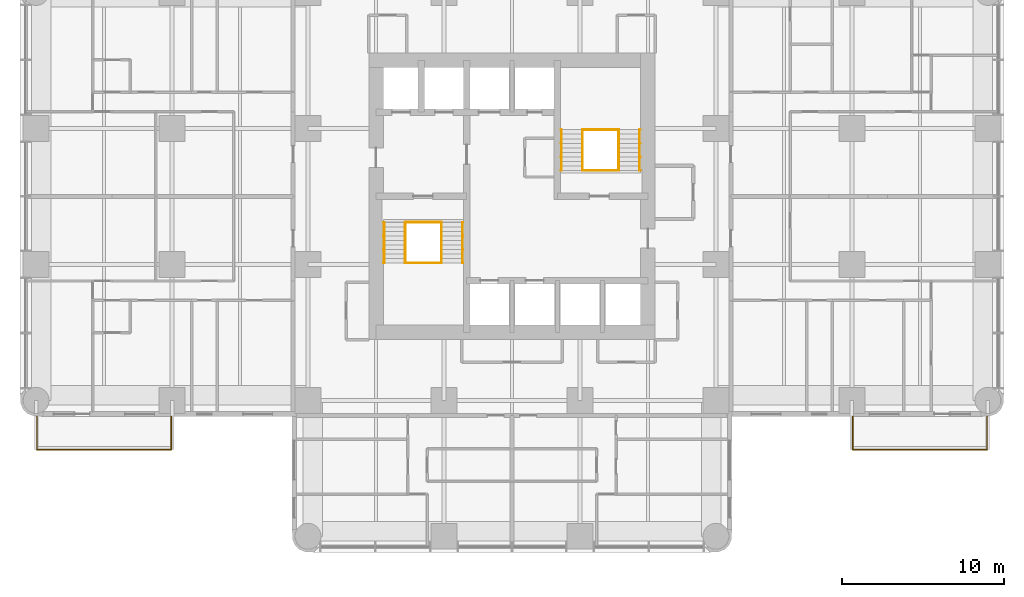
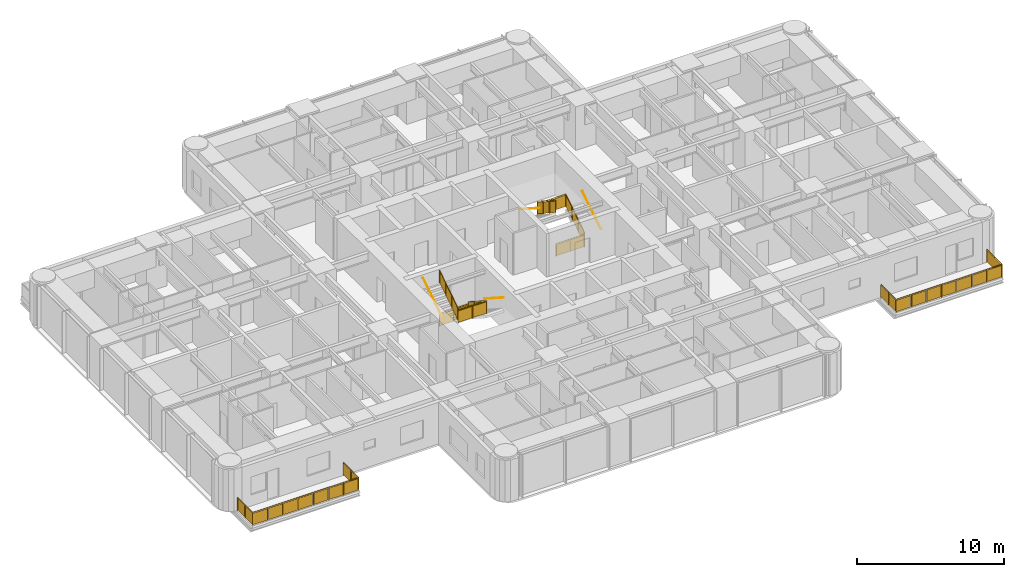
# One storey, part 14 of 15: 14 railings.
"""IFC4 building model written with IfcOpenShell, lengths in metres."""

from ifc_helpers import new_model, si_unit, direction, frame, origin, origin_2d, place, context, subcontext, project, spatial, polyline, circle, outline, extrude, material, constituent, constituent_set, type_object, element, save


model = new_model("IFC4")

# Units and contexts
model_context = context("Model", 3, precision=1e-05, world=origin(), true_north=direction((0.0, 1.0)))
body_context = subcontext(model_context, "Body", "Model", "MODEL_VIEW")
ifc_project = project(units=[si_unit("LENGTHUNIT", "METRE"), si_unit("AREAUNIT", "SQUARE_METRE"), si_unit("VOLUMEUNIT", "CUBIC_METRE"), si_unit("PLANEANGLEUNIT", "RADIAN"), si_unit("MASSUNIT", "GRAM", prefix="KILO")], contexts=[model_context])

# Site, building, storey
site_placement = place(None, origin())
site = spatial("IfcSite", under=ifc_project, at=site_placement, CompositionType="ELEMENT")
building_placement = place(site_placement, origin())
building = spatial("IfcBuilding", under=site, at=building_placement, Name="Torre Alcanfor", CompositionType="ELEMENT")
storey_placement = place(building_placement, frame((0.0, 0.0, 148.5)))
storey = spatial("IfcBuildingStorey", under=building, at=storey_placement, Name="L38", CompositionType="ELEMENT", Elevation=148.5)

# Railings
ifc_material_1 = material(Name="Laminated safety glass", Category="glass")
ifc_constituent_1 = constituent(ifc_material_1, Name="Infill")
ifc_material_2 = material(Name="Stainless steel ASTM A554 Grade MT 316L tube", Category="steel")
ifc_constituent_2 = constituent(ifc_material_2, Name="Posts and rail")
ifc_constituent_set = constituent_set(constituents=[ifc_constituent_1, ifc_constituent_2], Name="Balcony guard glass 1100")
railing_type_1 = type_object("IfcRailingType", Name="Balcony guard glass 1100", PredefinedType="BALUSTRADE", material=ifc_constituent_set)
railing_1_placement = place(storey_placement, frame((50.449951171875, 15.800048828125, 0.0)))
element("IfcRailing", 1, at=railing_1_placement, inside=storey, type_object=railing_type_1, Name="Balcony guard L38-E2", PredefinedType="BALUSTRADE", context=body_context, shape_type="SweptSolid", body=[
    extrude(circle(Radius=0.02392578125, at=origin_2d()), frame((0.0, 0.0, 1.076171875), z_axis=(0.0, -1.0, 0.0), x_axis=(1.0, 0.0, 0.0)), (0.0, 0.0, 1.0), 2.050048828125),
    extrude(circle(Radius=0.02392578125, at=origin_2d()), frame((0.0, -2.050048828125, 1.076171875), z_axis=(1.0, 0.0, 0.0), x_axis=(0.0, 1.0, 0.0)), (0.0, 0.0, 1.0), 8.300048828125),
    extrude(circle(Radius=0.02392578125, at=origin_2d()), frame((8.300048828125, -2.050048828125, 1.076171875), z_axis=(0.0, 1.0, 0.0), x_axis=(-1.0, 0.0, 0.0)), (0.0, 0.0, 1.0), 2.050048828125),
    extrude(circle(Radius=0.02099609375, at=origin_2d()), origin(), (0.0, 0.0, 1.0), 1.052001953125),
    extrude(circle(Radius=0.02099609375, at=origin_2d()), frame((0.0, -1.02490234375, 0.0)), (0.0, 0.0, 1.0), 1.052001953125),
    extrude(circle(Radius=0.02099609375, at=origin_2d()), frame((0.0, -2.050048828125, 0.0)), (0.0, 0.0, 1.0), 1.052001953125),
    extrude(circle(Radius=0.02099609375, at=origin_2d()), frame((1.185791015625, -2.050048828125, 0.0)), (0.0, 0.0, 1.0), 1.052001953125),
    extrude(circle(Radius=0.02099609375, at=origin_2d()), frame((2.371337890625, -2.050048828125, 0.0)), (0.0, 0.0, 1.0), 1.052001953125),
    extrude(circle(Radius=0.02099609375, at=origin_2d()), frame((3.55712890625, -2.050048828125, 0.0)), (0.0, 0.0, 1.0), 1.052001953125),
    extrude(circle(Radius=0.02099609375, at=origin_2d()), frame((4.742919921875, -2.050048828125, 0.0)), (0.0, 0.0, 1.0), 1.052001953125),
    extrude(circle(Radius=0.02099609375, at=origin_2d()), frame((5.9287109375, -2.050048828125, 0.0)), (0.0, 0.0, 1.0), 1.052001953125),
    extrude(circle(Radius=0.02099609375, at=origin_2d()), frame((7.1142578125, -2.050048828125, 0.0)), (0.0, 0.0, 1.0), 1.052001953125),
    extrude(circle(Radius=0.02099609375, at=origin_2d()), frame((8.300048828125, -2.050048828125, 0.0)), (0.0, 0.0, 1.0), 1.052001953125),
    extrude(circle(Radius=0.02099609375, at=origin_2d()), frame((8.300048828125, -1.02490234375, 0.0)), (0.0, 0.0, 1.0), 1.052001953125),
    extrude(circle(Radius=0.02099609375, at=origin_2d()), frame((8.300048828125, 0.0, 0.0)), (0.0, 0.0, 1.0), 1.052001953125),
    extrude(outline(polyline([(0.041015625, 0.050048828125), (0.984130859375, 0.050048828125), (0.984130859375, 1.001953125), (0.041015625, 1.001953125), (0.041015625, 0.050048828125)])), frame((0.005859375, 0.0, 0.0), z_axis=(-1.0, 0.0, 0.0), x_axis=(0.0, -1.0, 0.0)), (0.0, 0.0, 1.0), 0.011962890625),
    extrude(outline(polyline([(1.06591796875, 0.050048828125), (2.009033203125, 0.050048828125), (2.009033203125, 1.001953125), (1.06591796875, 1.001953125), (1.06591796875, 0.050048828125)])), frame((0.005859375, 0.0, 0.0), z_axis=(-1.0, 0.0, 0.0), x_axis=(0.0, -1.0, 0.0)), (0.0, 0.0, 1.0), 0.011962890625),
    extrude(outline(polyline([(0.041015625, 0.050048828125), (1.144775390625, 0.050048828125), (1.144775390625, 1.001953125), (0.041015625, 1.001953125), (0.041015625, 0.050048828125)])), frame((0.0, -2.0439453125, 0.0), z_axis=(0.0, -1.0, 0.0), x_axis=(1.0, 0.0, 0.0)), (0.0, 0.0, 1.0), 0.011962890625),
    extrude(outline(polyline([(1.226806640625, 0.050048828125), (2.330322265625, 0.050048828125), (2.330322265625, 1.001953125), (1.226806640625, 1.001953125), (1.226806640625, 0.050048828125)])), frame((0.0, -2.0439453125, 0.0), z_axis=(0.0, -1.0, 0.0), x_axis=(1.0, 0.0, 0.0)), (0.0, 0.0, 1.0), 0.011962890625),
    extrude(outline(polyline([(2.412353515625, 0.050048828125), (3.51611328125, 0.050048828125), (3.51611328125, 1.001953125), (2.412353515625, 1.001953125), (2.412353515625, 0.050048828125)])), frame((0.0, -2.0439453125, 0.0), z_axis=(0.0, -1.0, 0.0), x_axis=(1.0, 0.0, 0.0)), (0.0, 0.0, 1.0), 0.011962890625),
    extrude(outline(polyline([(3.59814453125, 0.050048828125), (4.701904296875, 0.050048828125), (4.701904296875, 1.001953125), (3.59814453125, 1.001953125), (3.59814453125, 0.050048828125)])), frame((0.0, -2.0439453125, 0.0), z_axis=(0.0, -1.0, 0.0), x_axis=(1.0, 0.0, 0.0)), (0.0, 0.0, 1.0), 0.011962890625),
    extrude(outline(polyline([(4.783935546875, 0.050048828125), (5.8876953125, 0.050048828125), (5.8876953125, 1.001953125), (4.783935546875, 1.001953125), (4.783935546875, 0.050048828125)])), frame((0.0, -2.0439453125, 0.0), z_axis=(0.0, -1.0, 0.0), x_axis=(1.0, 0.0, 0.0)), (0.0, 0.0, 1.0), 0.011962890625),
    extrude(outline(polyline([(5.9697265625, 0.050048828125), (7.0732421875, 0.050048828125), (7.0732421875, 1.001953125), (5.9697265625, 1.001953125), (5.9697265625, 0.050048828125)])), frame((0.0, -2.0439453125, 0.0), z_axis=(0.0, -1.0, 0.0), x_axis=(1.0, 0.0, 0.0)), (0.0, 0.0, 1.0), 0.011962890625),
    extrude(outline(polyline([(7.1552734375, 0.050048828125), (8.259033203125, 0.050048828125), (8.259033203125, 1.001953125), (7.1552734375, 1.001953125), (7.1552734375, 0.050048828125)])), frame((0.0, -2.0439453125, 0.0), z_axis=(0.0, -1.0, 0.0), x_axis=(1.0, 0.0, 0.0)), (0.0, 0.0, 1.0), 0.011962890625),
    extrude(outline(polyline([(0.041015625, 0.050048828125), (0.984130859375, 0.050048828125), (0.984130859375, 1.001953125), (0.041015625, 1.001953125), (0.041015625, 0.050048828125)])), frame((8.2939453125, -2.050048828125, 0.0), z_axis=(1.0, 0.0, 0.0), x_axis=(0.0, 1.0, 0.0)), (0.0, 0.0, 1.0), 0.011962890625),
    extrude(outline(polyline([(1.06591796875, 0.050048828125), (2.009033203125, 0.050048828125), (2.009033203125, 1.001953125), (1.06591796875, 1.001953125), (1.06591796875, 0.050048828125)])), frame((8.2939453125, -2.050048828125, 0.0), z_axis=(1.0, 0.0, 0.0), x_axis=(0.0, 1.0, 0.0)), (0.0, 0.0, 1.0), 0.011962890625),
])
railing_2_placement = place(storey_placement, frame((8.35009765625, 15.800048828125, 0.0)))
element("IfcRailing", 2, at=railing_2_placement, inside=storey, type_object=railing_type_1, Name="Balcony guard L38-W1", PredefinedType="BALUSTRADE", context=body_context, shape_type="SweptSolid", body=[
    extrude(circle(Radius=0.02392578125, at=origin_2d()), frame((0.0, 0.0, 1.076171875), z_axis=(0.0, -1.0, 0.0), x_axis=(1.0, 0.0, 0.0)), (0.0, 0.0, 1.0), 2.050048828125),
    extrude(circle(Radius=0.02392578125, at=origin_2d()), frame((0.0, -2.050048828125, 1.076171875), z_axis=(-1.0, 0.0, 0.0), x_axis=(0.0, -1.0, 0.0)), (0.0, 0.0, 1.0), 8.300048828125),
    extrude(circle(Radius=0.02392578125, at=origin_2d()), frame((-8.300048828125, -2.050048828125, 1.076171875), z_axis=(0.0, 1.0, 0.0), x_axis=(-1.0, 0.0, 0.0)), (0.0, 0.0, 1.0), 2.050048828125),
    extrude(circle(Radius=0.02099609375, at=origin_2d()), origin(), (0.0, 0.0, 1.0), 1.052001953125),
    extrude(circle(Radius=0.02099609375, at=origin_2d()), frame((0.0, -1.02490234375, 0.0)), (0.0, 0.0, 1.0), 1.052001953125),
    extrude(circle(Radius=0.02099609375, at=origin_2d()), frame((0.0, -2.050048828125, 0.0)), (0.0, 0.0, 1.0), 1.052001953125),
    extrude(circle(Radius=0.02099609375, at=origin_2d()), frame((-1.185791015625, -2.050048828125, 0.0)), (0.0, 0.0, 1.0), 1.052001953125),
    extrude(circle(Radius=0.02099609375, at=origin_2d()), frame((-2.371337890625, -2.050048828125, 0.0)), (0.0, 0.0, 1.0), 1.052001953125),
    extrude(circle(Radius=0.02099609375, at=origin_2d()), frame((-3.55712890625, -2.050048828125, 0.0)), (0.0, 0.0, 1.0), 1.052001953125),
    extrude(circle(Radius=0.02099609375, at=origin_2d()), frame((-4.742919921875, -2.050048828125, 0.0)), (0.0, 0.0, 1.0), 1.052001953125),
    extrude(circle(Radius=0.02099609375, at=origin_2d()), frame((-5.9287109375, -2.050048828125, 0.0)), (0.0, 0.0, 1.0), 1.052001953125),
    extrude(circle(Radius=0.02099609375, at=origin_2d()), frame((-7.1142578125, -2.050048828125, 0.0)), (0.0, 0.0, 1.0), 1.052001953125),
    extrude(circle(Radius=0.02099609375, at=origin_2d()), frame((-8.300048828125, -2.050048828125, 0.0)), (0.0, 0.0, 1.0), 1.052001953125),
    extrude(circle(Radius=0.02099609375, at=origin_2d()), frame((-8.300048828125, -1.02490234375, 0.0)), (0.0, 0.0, 1.0), 1.052001953125),
    extrude(circle(Radius=0.02099609375, at=origin_2d()), frame((-8.300048828125, 0.0, 0.0)), (0.0, 0.0, 1.0), 1.052001953125),
    extrude(outline(polyline([(0.041015625, 0.050048828125), (0.984130859375, 0.050048828125), (0.984130859375, 1.001953125), (0.041015625, 1.001953125), (0.041015625, 0.050048828125)])), frame((0.005859375, 0.0, 0.0), z_axis=(-1.0, 0.0, 0.0), x_axis=(0.0, -1.0, 0.0)), (0.0, 0.0, 1.0), 0.011962890625),
    extrude(outline(polyline([(1.06591796875, 0.050048828125), (2.009033203125, 0.050048828125), (2.009033203125, 1.001953125), (1.06591796875, 1.001953125), (1.06591796875, 0.050048828125)])), frame((0.005859375, 0.0, 0.0), z_axis=(-1.0, 0.0, 0.0), x_axis=(0.0, -1.0, 0.0)), (0.0, 0.0, 1.0), 0.011962890625),
    extrude(outline(polyline([(0.041015625, 0.050048828125), (1.144775390625, 0.050048828125), (1.144775390625, 1.001953125), (0.041015625, 1.001953125), (0.041015625, 0.050048828125)])), frame((0.0, -2.05615234375, 0.0), z_axis=(0.0, 1.0, 0.0), x_axis=(-1.0, 0.0, 0.0)), (0.0, 0.0, 1.0), 0.011962890625),
    extrude(outline(polyline([(1.226806640625, 0.050048828125), (2.330322265625, 0.050048828125), (2.330322265625, 1.001953125), (1.226806640625, 1.001953125), (1.226806640625, 0.050048828125)])), frame((0.0, -2.05615234375, 0.0), z_axis=(0.0, 1.0, 0.0), x_axis=(-1.0, 0.0, 0.0)), (0.0, 0.0, 1.0), 0.011962890625),
    extrude(outline(polyline([(2.412353515625, 0.050048828125), (3.51611328125, 0.050048828125), (3.51611328125, 1.001953125), (2.412353515625, 1.001953125), (2.412353515625, 0.050048828125)])), frame((0.0, -2.05615234375, 0.0), z_axis=(0.0, 1.0, 0.0), x_axis=(-1.0, 0.0, 0.0)), (0.0, 0.0, 1.0), 0.011962890625),
    extrude(outline(polyline([(3.59814453125, 0.050048828125), (4.701904296875, 0.050048828125), (4.701904296875, 1.001953125), (3.59814453125, 1.001953125), (3.59814453125, 0.050048828125)])), frame((0.0, -2.05615234375, 0.0), z_axis=(0.0, 1.0, 0.0), x_axis=(-1.0, 0.0, 0.0)), (0.0, 0.0, 1.0), 0.011962890625),
    extrude(outline(polyline([(4.783935546875, 0.050048828125), (5.8876953125, 0.050048828125), (5.8876953125, 1.001953125), (4.783935546875, 1.001953125), (4.783935546875, 0.050048828125)])), frame((0.0, -2.05615234375, 0.0), z_axis=(0.0, 1.0, 0.0), x_axis=(-1.0, 0.0, 0.0)), (0.0, 0.0, 1.0), 0.011962890625),
    extrude(outline(polyline([(5.9697265625, 0.050048828125), (7.0732421875, 0.050048828125), (7.0732421875, 1.001953125), (5.9697265625, 1.001953125), (5.9697265625, 0.050048828125)])), frame((0.0, -2.05615234375, 0.0), z_axis=(0.0, 1.0, 0.0), x_axis=(-1.0, 0.0, 0.0)), (0.0, 0.0, 1.0), 0.011962890625),
    extrude(outline(polyline([(7.1552734375, 0.050048828125), (8.259033203125, 0.050048828125), (8.259033203125, 1.001953125), (7.1552734375, 1.001953125), (7.1552734375, 0.050048828125)])), frame((0.0, -2.05615234375, 0.0), z_axis=(0.0, 1.0, 0.0), x_axis=(-1.0, 0.0, 0.0)), (0.0, 0.0, 1.0), 0.011962890625),
    extrude(outline(polyline([(0.041015625, 0.050048828125), (0.984130859375, 0.050048828125), (0.984130859375, 1.001953125), (0.041015625, 1.001953125), (0.041015625, 0.050048828125)])), frame((-8.30615234375, -2.050048828125, 0.0), z_axis=(1.0, 0.0, 0.0), x_axis=(0.0, 1.0, 0.0)), (0.0, 0.0, 1.0), 0.011962890625),
    extrude(outline(polyline([(1.06591796875, 0.050048828125), (2.009033203125, 0.050048828125), (2.009033203125, 1.001953125), (1.06591796875, 1.001953125), (1.06591796875, 0.050048828125)])), frame((-8.30615234375, -2.050048828125, 0.0), z_axis=(1.0, 0.0, 0.0), x_axis=(0.0, 1.0, 0.0)), (0.0, 0.0, 1.0), 0.011962890625),
])
ifc_material_3 = material(Name="Steel ASTM A500 Grade C hollow sections", Category="steel")
railing_type_2 = type_object("IfcRailingType", Name="Stair guard and handrail 1100", PredefinedType="GUARDRAIL", material=ifc_material_3)
railing_3_placement = place(storey_placement, frame((25.050048828125, 27.800048828125, 0.179931640625)))
element("IfcRailing", 3, at=railing_3_placement, inside=storey, type_object=railing_type_2, Name="Stair guard S1 L38 flight 1", PredefinedType="GUARDRAIL", context=body_context, shape_type="SweptSolid", body=[
    extrude(circle(Radius=0.02392578125, at=origin_2d()), frame((0.0, 0.0, 1.076171875), z_axis=(0.0, -0.841162588446, 0.540782303519), x_axis=(1.0, 0.0, 0.0)), (0.0, 0.0, 1.0), 2.995849609375),
    extrude(circle(Radius=0.02099609375, at=origin_2d()), origin(), (0.0, 0.0, 1.0), 1.052001953125),
    extrude(circle(Radius=0.02099609375, at=origin_2d()), frame((0.0, -0.840087890625, 0.5400390625)), (0.0, 0.0, 1.0), 1.052001953125),
    extrude(circle(Radius=0.02099609375, at=origin_2d()), frame((0.0, -1.679931640625, 1.080078125)), (0.0, 0.0, 1.0), 1.052001953125),
    extrude(circle(Radius=0.02099609375, at=origin_2d()), frame((0.0, -2.52001953125, 1.6201171875)), (0.0, 0.0, 1.0), 1.052001953125),
    extrude(outline(polyline([(0.041015625, 0.076416015625), (0.799072265625, 0.563720703125), (0.799072265625, 1.515625), (0.041015625, 1.0283203125), (0.041015625, 0.076416015625)])), frame((0.005859375, 0.0, 0.0), z_axis=(-1.0, 0.0, 0.0), x_axis=(0.0, -1.0, 0.0)), (0.0, 0.0, 1.0), 0.011962890625),
    extrude(outline(polyline([(0.881103515625, 0.616455078125), (1.638916015625, 1.103759765625), (1.638916015625, 2.0556640625), (0.881103515625, 1.568359375), (0.881103515625, 0.616455078125)])), frame((0.005859375, 0.0, 0.0), z_axis=(-1.0, 0.0, 0.0), x_axis=(0.0, -1.0, 0.0)), (0.0, 0.0, 1.0), 0.011962890625),
    extrude(outline(polyline([(1.720947265625, 1.156494140625), (2.47900390625, 1.643798828125), (2.47900390625, 2.595703125), (1.720947265625, 2.1083984375), (1.720947265625, 1.156494140625)])), frame((0.005859375, 0.0, 0.0), z_axis=(-1.0, 0.0, 0.0), x_axis=(0.0, -1.0, 0.0)), (0.0, 0.0, 1.0), 0.011962890625),
])
railing_4_placement = place(storey_placement, frame((22.800048828125, 25.280029296875, 1.97998046875)))
element("IfcRailing", 4, at=railing_4_placement, inside=storey, type_object=railing_type_2, Name="Stair guard S1 L38 flight 2", PredefinedType="GUARDRAIL", context=body_context, shape_type="SweptSolid", body=[
    extrude(circle(Radius=0.02392578125, at=origin_2d()), frame((0.0, 0.0, 1.076171875), z_axis=(0.0, 0.841162588446, 0.540782303519), x_axis=(-1.0, 0.0, 0.0)), (0.0, 0.0, 1.0), 2.995849609375),
    extrude(circle(Radius=0.02099609375, at=origin_2d()), origin(), (0.0, 0.0, 1.0), 1.052001953125),
    extrude(circle(Radius=0.02099609375, at=origin_2d()), frame((0.0, 0.840087890625, 0.5400390625)), (0.0, 0.0, 1.0), 1.052001953125),
    extrude(circle(Radius=0.02099609375, at=origin_2d()), frame((0.0, 1.679931640625, 1.080078125)), (0.0, 0.0, 1.0), 1.052001953125),
    extrude(circle(Radius=0.02099609375, at=origin_2d()), frame((0.0, 2.52001953125, 1.6201171875)), (0.0, 0.0, 1.0), 1.052001953125),
    extrude(outline(polyline([(0.041015625, 0.076416015625), (0.799072265625, 0.563720703125), (0.799072265625, 1.515625), (0.041015625, 1.0283203125), (0.041015625, 0.076416015625)])), frame((-0.005859375, 0.0, 0.0), z_axis=(1.0, 0.0, 0.0), x_axis=(0.0, 1.0, 0.0)), (0.0, 0.0, 1.0), 0.011962890625),
    extrude(outline(polyline([(0.881103515625, 0.616455078125), (1.638916015625, 1.103759765625), (1.638916015625, 2.0556640625), (0.881103515625, 1.568359375), (0.881103515625, 0.616455078125)])), frame((-0.005859375, 0.0, 0.0), z_axis=(1.0, 0.0, 0.0), x_axis=(0.0, 1.0, 0.0)), (0.0, 0.0, 1.0), 0.011962890625),
    extrude(outline(polyline([(1.720947265625, 1.156494140625), (2.47900390625, 1.643798828125), (2.47900390625, 2.595703125), (1.720947265625, 2.1083984375), (1.720947265625, 1.156494140625)])), frame((-0.005859375, 0.0, 0.0), z_axis=(1.0, 0.0, 0.0), x_axis=(0.0, 1.0, 0.0)), (0.0, 0.0, 1.0), 0.011962890625),
])
for number, where, name in (
    (5, (22.800048828125, 27.800048828125, 0.0), "Stair well guard S1 L38 floor landing"),
    (6, (22.800048828125, 25.280029296875, 1.800048828125), "Stair well guard S1 L38 half landing"),
):
    element("IfcRailing", number, at=place(storey_placement, frame(where)), inside=storey, type_object=railing_type_2, Name=name, PredefinedType="GUARDRAIL", context=body_context, shape_type="SweptSolid", body=[
        extrude(circle(Radius=0.02392578125, at=origin_2d()), frame((0.0, 0.0, 1.076171875), z_axis=(1.0, 0.0, 0.0), x_axis=(0.0, 1.0, 0.0)), (0.0, 0.0, 1.0), 2.25),
        extrude(circle(Radius=0.02099609375, at=origin_2d()), origin(), (0.0, 0.0, 1.0), 1.052001953125),
        extrude(circle(Radius=0.02099609375, at=origin_2d()), frame((1.125, 0.0, 0.0)), (0.0, 0.0, 1.0), 1.052001953125),
        extrude(circle(Radius=0.02099609375, at=origin_2d()), frame((2.25, 0.0, 0.0)), (0.0, 0.0, 1.0), 1.052001953125),
        extrude(outline(polyline([(0.041015625, 0.050048828125), (1.083984375, 0.050048828125), (1.083984375, 1.001953125), (0.041015625, 1.001953125), (0.041015625, 0.050048828125)])), frame((0.0, 0.005859375, 0.0), z_axis=(0.0, -1.0, 0.0), x_axis=(1.0, 0.0, 0.0)), (0.0, 0.0, 1.0), 0.011962890625),
        extrude(outline(polyline([(1.166015625, 0.050048828125), (2.208984375, 0.050048828125), (2.208984375, 1.001953125), (1.166015625, 1.001953125), (1.166015625, 0.050048828125)])), frame((0.0, 0.005859375, 0.0), z_axis=(0.0, -1.0, 0.0), x_axis=(1.0, 0.0, 0.0)), (0.0, 0.0, 1.0), 0.011962890625),
    ])
railing_5_placement = place(storey_placement, frame((36.0, 31.0, 0.179931640625)))
element("IfcRailing", 7, at=railing_5_placement, inside=storey, type_object=railing_type_2, Name="Stair guard S2 L38 flight 1", PredefinedType="GUARDRAIL", context=body_context, shape_type="SweptSolid", body=[
    extrude(circle(Radius=0.02392578125, at=origin_2d()), frame((0.0, 0.0, 1.076171875), z_axis=(0.0, 0.841162588446, 0.540782303519), x_axis=(-1.0, 0.0, 0.0)), (0.0, 0.0, 1.0), 2.995849609375),
    extrude(circle(Radius=0.02099609375, at=origin_2d()), origin(), (0.0, 0.0, 1.0), 1.052001953125),
    extrude(circle(Radius=0.02099609375, at=origin_2d()), frame((0.0, 0.840087890625, 0.5400390625)), (0.0, 0.0, 1.0), 1.052001953125),
    extrude(circle(Radius=0.02099609375, at=origin_2d()), frame((0.0, 1.679931640625, 1.080078125)), (0.0, 0.0, 1.0), 1.052001953125),
    extrude(circle(Radius=0.02099609375, at=origin_2d()), frame((0.0, 2.52001953125, 1.6201171875)), (0.0, 0.0, 1.0), 1.052001953125),
    extrude(outline(polyline([(0.041015625, 0.076416015625), (0.799072265625, 0.563720703125), (0.799072265625, 1.515625), (0.041015625, 1.0283203125), (0.041015625, 0.076416015625)])), frame((-0.005859375, 0.0, 0.0), z_axis=(1.0, 0.0, 0.0), x_axis=(0.0, 1.0, 0.0)), (0.0, 0.0, 1.0), 0.011962890625),
    extrude(outline(polyline([(0.881103515625, 0.616455078125), (1.638916015625, 1.103759765625), (1.638916015625, 2.0556640625), (0.881103515625, 1.568359375), (0.881103515625, 0.616455078125)])), frame((-0.005859375, 0.0, 0.0), z_axis=(1.0, 0.0, 0.0), x_axis=(0.0, 1.0, 0.0)), (0.0, 0.0, 1.0), 0.011962890625),
    extrude(outline(polyline([(1.720947265625, 1.156494140625), (2.47900390625, 1.643798828125), (2.47900390625, 2.595703125), (1.720947265625, 2.1083984375), (1.720947265625, 1.156494140625)])), frame((-0.005859375, 0.0, 0.0), z_axis=(1.0, 0.0, 0.0), x_axis=(0.0, 1.0, 0.0)), (0.0, 0.0, 1.0), 0.011962890625),
])
railing_6_placement = place(storey_placement, frame((33.75, 33.52001953125, 1.97998046875)))
element("IfcRailing", 8, at=railing_6_placement, inside=storey, type_object=railing_type_2, Name="Stair guard S2 L38 flight 2", PredefinedType="GUARDRAIL", context=body_context, shape_type="SweptSolid", body=[
    extrude(circle(Radius=0.02392578125, at=origin_2d()), frame((0.0, 0.0, 1.076171875), z_axis=(0.0, -0.841162588446, 0.540782303519), x_axis=(1.0, 0.0, 0.0)), (0.0, 0.0, 1.0), 2.995849609375),
    extrude(circle(Radius=0.02099609375, at=origin_2d()), origin(), (0.0, 0.0, 1.0), 1.052001953125),
    extrude(circle(Radius=0.02099609375, at=origin_2d()), frame((0.0, -0.840087890625, 0.5400390625)), (0.0, 0.0, 1.0), 1.052001953125),
    extrude(circle(Radius=0.02099609375, at=origin_2d()), frame((0.0, -1.679931640625, 1.080078125)), (0.0, 0.0, 1.0), 1.052001953125),
    extrude(circle(Radius=0.02099609375, at=origin_2d()), frame((0.0, -2.52001953125, 1.6201171875)), (0.0, 0.0, 1.0), 1.052001953125),
    extrude(outline(polyline([(0.041015625, 0.076416015625), (0.799072265625, 0.563720703125), (0.799072265625, 1.515625), (0.041015625, 1.0283203125), (0.041015625, 0.076416015625)])), frame((0.005859375, 0.0, 0.0), z_axis=(-1.0, 0.0, 0.0), x_axis=(0.0, -1.0, 0.0)), (0.0, 0.0, 1.0), 0.011962890625),
    extrude(outline(polyline([(0.881103515625, 0.616455078125), (1.638916015625, 1.103759765625), (1.638916015625, 2.0556640625), (0.881103515625, 1.568359375), (0.881103515625, 0.616455078125)])), frame((0.005859375, 0.0, 0.0), z_axis=(-1.0, 0.0, 0.0), x_axis=(0.0, -1.0, 0.0)), (0.0, 0.0, 1.0), 0.011962890625),
    extrude(outline(polyline([(1.720947265625, 1.156494140625), (2.47900390625, 1.643798828125), (2.47900390625, 2.595703125), (1.720947265625, 2.1083984375), (1.720947265625, 1.156494140625)])), frame((0.005859375, 0.0, 0.0), z_axis=(-1.0, 0.0, 0.0), x_axis=(0.0, -1.0, 0.0)), (0.0, 0.0, 1.0), 0.011962890625),
])
for number, where, name in (
    (9, (33.75, 31.0, 0.0), "Stair well guard S2 L38 floor landing"),
    (10, (33.75, 33.52001953125, 1.800048828125), "Stair well guard S2 L38 half landing"),
):
    element("IfcRailing", number, at=place(storey_placement, frame(where)), inside=storey, type_object=railing_type_2, Name=name, PredefinedType="GUARDRAIL", context=body_context, shape_type="SweptSolid", body=[
        extrude(circle(Radius=0.02392578125, at=origin_2d()), frame((0.0, 0.0, 1.076171875), z_axis=(1.0, 0.0, 0.0), x_axis=(0.0, 1.0, 0.0)), (0.0, 0.0, 1.0), 2.25),
        extrude(circle(Radius=0.02099609375, at=origin_2d()), origin(), (0.0, 0.0, 1.0), 1.052001953125),
        extrude(circle(Radius=0.02099609375, at=origin_2d()), frame((1.125, 0.0, 0.0)), (0.0, 0.0, 1.0), 1.052001953125),
        extrude(circle(Radius=0.02099609375, at=origin_2d()), frame((2.25, 0.0, 0.0)), (0.0, 0.0, 1.0), 1.052001953125),
        extrude(outline(polyline([(0.041015625, 0.050048828125), (1.083984375, 0.050048828125), (1.083984375, 1.001953125), (0.041015625, 1.001953125), (0.041015625, 0.050048828125)])), frame((0.0, 0.005859375, 0.0), z_axis=(0.0, -1.0, 0.0), x_axis=(1.0, 0.0, 0.0)), (0.0, 0.0, 1.0), 0.011962890625),
        extrude(outline(polyline([(1.166015625, 0.050048828125), (2.208984375, 0.050048828125), (2.208984375, 1.001953125), (1.166015625, 1.001953125), (1.166015625, 0.050048828125)])), frame((0.0, 0.005859375, 0.0), z_axis=(0.0, -1.0, 0.0), x_axis=(1.0, 0.0, 0.0)), (0.0, 0.0, 1.0), 0.011962890625),
    ])
ifc_material_4 = material(Name="Steel ASTM A500 Grade C hollow sections", Category="steel")
railing_type_3 = type_object("IfcRailingType", Name="Stair wall handrail 900", PredefinedType="HANDRAIL", material=ifc_material_4)
railing_7_placement = place(storey_placement, frame((26.3349609375, 27.800048828125, 0.179931640625)))
element("IfcRailing", 11, at=railing_7_placement, inside=storey, type_object=railing_type_3, Name="Stair handrail S1 L38 flight 1", PredefinedType="HANDRAIL", context=body_context, shape_type="SweptSolid", body=[
    extrude(circle(Radius=0.02392578125, at=origin_2d()), frame((0.0, 0.0, 0.8759765625), z_axis=(0.0, -0.841162588446, 0.540782303519), x_axis=(1.0, 0.0, 0.0)), (0.0, 0.0, 1.0), 2.995849609375),
    extrude(circle(Radius=0.008056640625, at=origin_2d()), frame((0.0, 0.0, 0.8759765625), z_axis=(1.0, 0.0, 0.0), x_axis=(0.0, 0.0, 1.0)), (0.0, 0.0, 1.0), 0.06494140625),
    extrude(circle(Radius=0.008056640625, at=origin_2d()), frame((0.0, -0.840087890625, 1.416015625), z_axis=(1.0, 0.0, 0.0), x_axis=(0.0, 0.0, 1.0)), (0.0, 0.0, 1.0), 0.06494140625),
    extrude(circle(Radius=0.008056640625, at=origin_2d()), frame((0.0, -1.679931640625, 1.9560546875), z_axis=(1.0, 0.0, 0.0), x_axis=(0.0, 0.0, 1.0)), (0.0, 0.0, 1.0), 0.06494140625),
    extrude(circle(Radius=0.008056640625, at=origin_2d()), frame((0.0, -2.52001953125, 2.49609375), z_axis=(1.0, 0.0, 0.0), x_axis=(0.0, 0.0, 1.0)), (0.0, 0.0, 1.0), 0.06494140625),
])
railing_8_placement = place(storey_placement, frame((21.514892578125, 25.280029296875, 1.97998046875)))
element("IfcRailing", 12, at=railing_8_placement, inside=storey, type_object=railing_type_3, Name="Stair handrail S1 L38 flight 2", PredefinedType="HANDRAIL", context=body_context, shape_type="SweptSolid", body=[
    extrude(circle(Radius=0.02392578125, at=origin_2d()), frame((0.0, 0.0, 0.8759765625), z_axis=(0.0, 0.841162588446, 0.540782303519), x_axis=(-1.0, 0.0, 0.0)), (0.0, 0.0, 1.0), 2.995849609375),
    extrude(circle(Radius=0.008056640625, at=origin_2d()), frame((0.0, 0.0, 0.8759765625), z_axis=(-1.0, 0.0, 0.0), x_axis=(0.0, 0.0, 1.0)), (0.0, 0.0, 1.0), 0.06494140625),
    extrude(circle(Radius=0.008056640625, at=origin_2d()), frame((0.0, 0.840087890625, 1.416015625), z_axis=(-1.0, 0.0, 0.0), x_axis=(0.0, 0.0, 1.0)), (0.0, 0.0, 1.0), 0.06494140625),
    extrude(circle(Radius=0.008056640625, at=origin_2d()), frame((0.0, 1.679931640625, 1.9560546875), z_axis=(-1.0, 0.0, 0.0), x_axis=(0.0, 0.0, 1.0)), (0.0, 0.0, 1.0), 0.06494140625),
    extrude(circle(Radius=0.008056640625, at=origin_2d()), frame((0.0, 2.52001953125, 2.49609375), z_axis=(-1.0, 0.0, 0.0), x_axis=(0.0, 0.0, 1.0)), (0.0, 0.0, 1.0), 0.06494140625),
])
railing_9_placement = place(storey_placement, frame((37.284912109375, 31.0, 0.179931640625)))
element("IfcRailing", 13, at=railing_9_placement, inside=storey, type_object=railing_type_3, Name="Stair handrail S2 L38 flight 1", PredefinedType="HANDRAIL", context=body_context, shape_type="SweptSolid", body=[
    extrude(circle(Radius=0.02392578125, at=origin_2d()), frame((0.0, 0.0, 0.8759765625), z_axis=(0.0, 0.841162588446, 0.540782303519), x_axis=(-1.0, 0.0, 0.0)), (0.0, 0.0, 1.0), 2.995849609375),
    extrude(circle(Radius=0.008056640625, at=origin_2d()), frame((0.0, 0.0, 0.8759765625), z_axis=(1.0, 0.0, 0.0), x_axis=(0.0, 0.0, 1.0)), (0.0, 0.0, 1.0), 0.06494140625),
    extrude(circle(Radius=0.008056640625, at=origin_2d()), frame((0.0, 0.840087890625, 1.416015625), z_axis=(1.0, 0.0, 0.0), x_axis=(0.0, 0.0, 1.0)), (0.0, 0.0, 1.0), 0.06494140625),
    extrude(circle(Radius=0.008056640625, at=origin_2d()), frame((0.0, 1.679931640625, 1.9560546875), z_axis=(1.0, 0.0, 0.0), x_axis=(0.0, 0.0, 1.0)), (0.0, 0.0, 1.0), 0.06494140625),
    extrude(circle(Radius=0.008056640625, at=origin_2d()), frame((0.0, 2.52001953125, 2.49609375), z_axis=(1.0, 0.0, 0.0), x_axis=(0.0, 0.0, 1.0)), (0.0, 0.0, 1.0), 0.06494140625),
])
railing_10_placement = place(storey_placement, frame((32.465087890625, 33.52001953125, 1.97998046875)))
element("IfcRailing", 14, at=railing_10_placement, inside=storey, type_object=railing_type_3, Name="Stair handrail S2 L38 flight 2", PredefinedType="HANDRAIL", context=body_context, shape_type="SweptSolid", body=[
    extrude(circle(Radius=0.02392578125, at=origin_2d()), frame((0.0, 0.0, 0.8759765625), z_axis=(0.0, -0.841162588446, 0.540782303519), x_axis=(1.0, 0.0, 0.0)), (0.0, 0.0, 1.0), 2.995849609375),
    extrude(circle(Radius=0.008056640625, at=origin_2d()), frame((0.0, 0.0, 0.8759765625), z_axis=(-1.0, 0.0, 0.0), x_axis=(0.0, 0.0, 1.0)), (0.0, 0.0, 1.0), 0.06494140625),
    extrude(circle(Radius=0.008056640625, at=origin_2d()), frame((0.0, -0.840087890625, 1.416015625), z_axis=(-1.0, 0.0, 0.0), x_axis=(0.0, 0.0, 1.0)), (0.0, 0.0, 1.0), 0.06494140625),
    extrude(circle(Radius=0.008056640625, at=origin_2d()), frame((0.0, -1.679931640625, 1.9560546875), z_axis=(-1.0, 0.0, 0.0), x_axis=(0.0, 0.0, 1.0)), (0.0, 0.0, 1.0), 0.06494140625),
    extrude(circle(Radius=0.008056640625, at=origin_2d()), frame((0.0, -2.52001953125, 2.49609375), z_axis=(-1.0, 0.0, 0.0), x_axis=(0.0, 0.0, 1.0)), (0.0, 0.0, 1.0), 0.06494140625),
])

save(model, "model.ifc")
